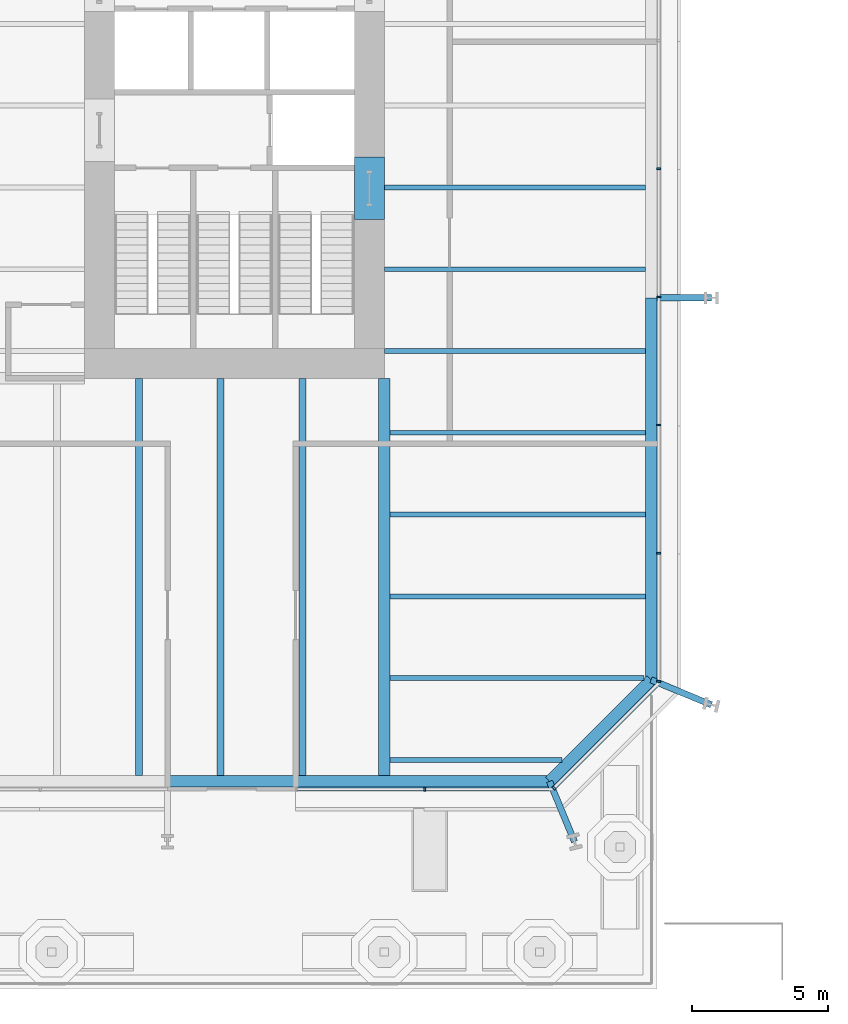
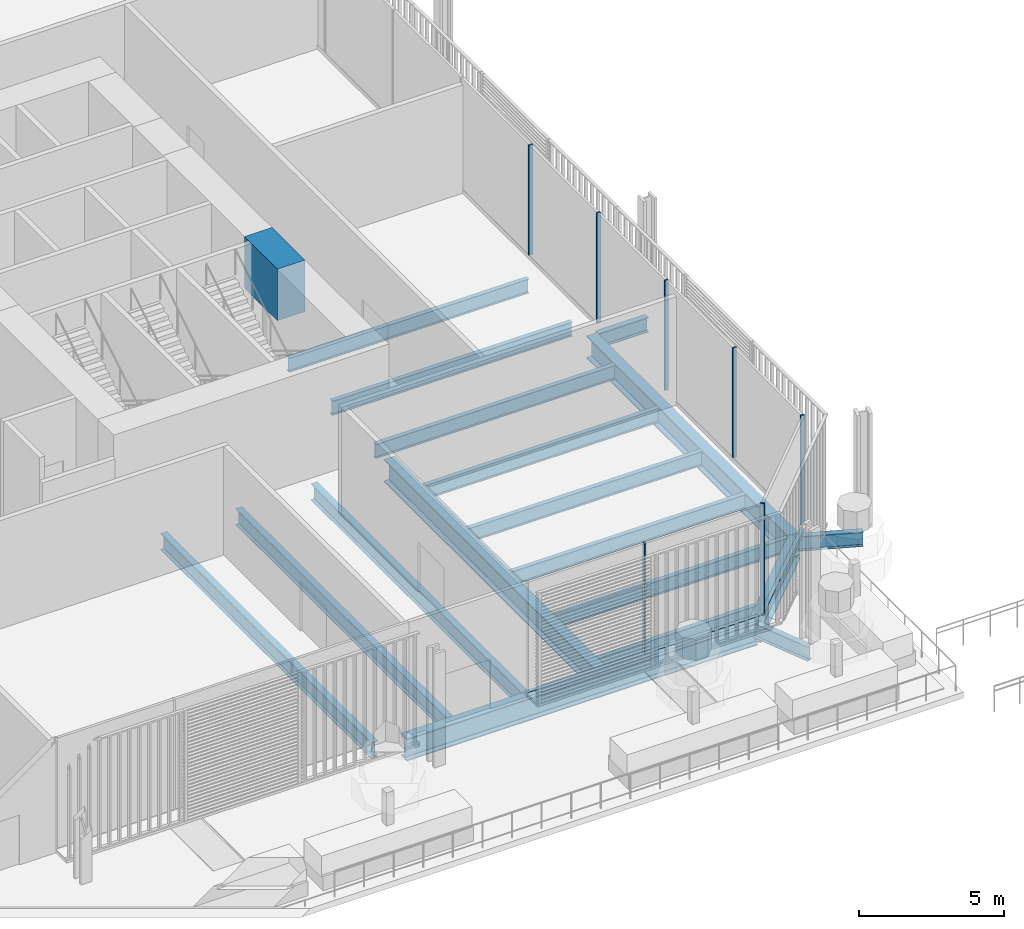
# One storey, part 5 of 21: 19 beams, 9 members, 3 elements without a shape of their own.
"""IFC4 building model written with IfcOpenShell, lengths in metres."""

from ifc_helpers import new_model, si_unit, direction, frame, origin, origin_2d, place, context, subcontext, project, spatial, rectangle, i_section, extrude, material, layer, layer_set, material_profile, profile_set, type_object, element, aggregate, save


model = new_model("IFC4")

# Units and contexts
model_context = context("Model", 3, precision=1e-05, world=origin(), true_north=direction((0.0, 1.0)))
body_context = subcontext(model_context, "Body", "Model", "MODEL_VIEW")
ifc_project = project(units=[si_unit("LENGTHUNIT", "METRE"), si_unit("AREAUNIT", "SQUARE_METRE"), si_unit("VOLUMEUNIT", "CUBIC_METRE"), si_unit("PLANEANGLEUNIT", "RADIAN"), si_unit("MASSUNIT", "GRAM", prefix="KILO")], contexts=[model_context])

# Site, building, storey
site_placement = place(None, origin())
site = spatial("IfcSite", under=ifc_project, at=site_placement, CompositionType="ELEMENT")
building_placement = place(site_placement, origin())
building = spatial("IfcBuilding", under=site, at=building_placement, Name="Millrace Tower", CompositionType="ELEMENT")
storey_placement = place(building_placement, frame((0.0, 0.0, 16.10009765625)))
storey = spatial("IfcBuildingStorey", under=building, at=storey_placement, Name="L04", CompositionType="ELEMENT", Elevation=16.10009765625)

# Curtain wall, member
ifc_material_1 = material(Name="Aluminium and glass", Category="aluminium")
ifc_layer = layer(ifc_material_1, 0.14990234375)
ifc_layer_set = layer_set([ifc_layer], Name="Aluminium and glass")
curtain_wall_type = type_object("IfcCurtainWallType", Name="CW-2 data hall insulated curtain wall", PredefinedType="NOTDEFINED", material=ifc_layer_set)
placement = place(storey_placement, origin())
curtain_wall_1 = element("IfcCurtainWall", 1, at=placement, inside=storey, type_object=curtain_wall_type, Name="Curtain wall A-F02 L04", PredefinedType="NOTDEFINED")
ifc_material_2 = material(Name="Aluminium", Category="aluminium")
ifc_material_profile_1 = material_profile(ifc_material_2, rectangle(XDim=0.06494140625, YDim=0.14990234375, at=origin_2d()))
ifc_profile_set_1 = profile_set([ifc_material_profile_1], Name="Aluminium")
member_type_1 = type_object("IfcMemberType", Name="CW-2 data hall insulated curtain wall mullion", PredefinedType="MULLION", material=ifc_profile_set_1)
member_1_placement = place(storey_placement, frame((16.482421875, -25.074951171875, 0.159912109375), z_axis=(0.0, 0.0, 1.0), x_axis=(1.0, 0.0, 0.0)))
member_1 = element("IfcMember", 2, at=member_1_placement, type_object=member_type_1, Name="CW2 mullion A-F02.9", PredefinedType="MULLION", context=body_context, shape_type="SweptSolid", body=[
    extrude(rectangle(XDim=0.06494140625, YDim=0.14990234375, at=origin_2d()), origin(), (0.0, 0.0, 1.0), 4.639892578125),
])

curtain_wall_2 = element("IfcCurtainWall", 3, at=placement, inside=storey, type_object=curtain_wall_type, Name="Curtain wall A-F03 L04", PredefinedType="NOTDEFINED")
member_2_placement = place(storey_placement, frame((21.22607421875, -25.030029296875, 0.159912109375), z_axis=(0.0, 0.0, 1.0), x_axis=(0.707106781187, 0.707106781187, 0.0)))
member_2 = element("IfcMember", 4, at=member_2_placement, type_object=member_type_1, Name="CW2 mullion A-F03.1", PredefinedType="MULLION", context=body_context, shape_type="SweptSolid", body=[
    extrude(rectangle(XDim=0.06494140625, YDim=0.14990234375, at=origin_2d()), origin(), (0.0, 0.0, 1.0), 4.639892578125),
])

# Curtain wall, members
curtain_wall_3 = element("IfcCurtainWall", 5, at=placement, inside=storey, type_object=curtain_wall_type, Name="Curtain wall A-F04 L04", PredefinedType="NOTDEFINED")
member_3_placement = place(storey_placement, frame((25.074951171875, -21.117431640625, 0.159912109375), z_axis=(0.0, 0.0, 1.0), x_axis=(0.0, 1.0, 0.0)))
member_3 = element("IfcMember", 6, at=member_3_placement, type_object=member_type_1, Name="CW2 mullion A-F04.1", PredefinedType="MULLION", context=body_context, shape_type="SweptSolid", body=[
    extrude(rectangle(XDim=0.06494140625, YDim=0.14990234375, at=origin_2d()), origin(), (0.0, 0.0, 1.0), 4.639892578125),
])
member_4_placement = place(storey_placement, frame((25.074951171875, -16.41748046875, 0.159912109375), z_axis=(0.0, 0.0, 1.0), x_axis=(0.0, 1.0, 0.0)))
member_4 = element("IfcMember", 7, at=member_4_placement, type_object=member_type_1, Name="CW2 mullion A-F04.2", PredefinedType="MULLION", context=body_context, shape_type="SweptSolid", body=[
    extrude(rectangle(XDim=0.06494140625, YDim=0.14990234375, at=origin_2d()), origin(), (0.0, 0.0, 1.0), 4.639892578125),
])
member_5_placement = place(storey_placement, frame((25.074951171875, -11.717529296875, 0.159912109375), z_axis=(0.0, 0.0, 1.0), x_axis=(0.0, 1.0, 0.0)))
member_5 = element("IfcMember", 8, at=member_5_placement, type_object=member_type_1, Name="CW2 mullion A-F04.3", PredefinedType="MULLION", context=body_context, shape_type="SweptSolid", body=[
    extrude(rectangle(XDim=0.06494140625, YDim=0.14990234375, at=origin_2d()), origin(), (0.0, 0.0, 1.0), 4.639892578125),
])
member_6_placement = place(storey_placement, frame((25.074951171875, -7.017578125, 0.159912109375), z_axis=(0.0, 0.0, 1.0), x_axis=(0.0, 1.0, 0.0)))
member_6 = element("IfcMember", 9, at=member_6_placement, type_object=member_type_1, Name="CW2 mullion A-F04.4", PredefinedType="MULLION", context=body_context, shape_type="SweptSolid", body=[
    extrude(rectangle(XDim=0.06494140625, YDim=0.14990234375, at=origin_2d()), origin(), (0.0, 0.0, 1.0), 4.639892578125),
])
member_7_placement = place(storey_placement, frame((25.074951171875, -2.3173828125, 0.159912109375), z_axis=(0.0, 0.0, 1.0), x_axis=(0.0, 1.0, 0.0)))
member_7 = element("IfcMember", 10, at=member_7_placement, type_object=member_type_1, Name="CW2 mullion A-F04.5", PredefinedType="MULLION", context=body_context, shape_type="SweptSolid", body=[
    extrude(rectangle(XDim=0.06494140625, YDim=0.14990234375, at=origin_2d()), origin(), (0.0, 0.0, 1.0), 4.639892578125),
])
aggregate(curtain_wall_3, [member_3, member_4, member_5, member_6, member_7])

# Member
ifc_material_3 = material(Name="Aluminium", Category="aluminium")
ifc_material_profile_2 = material_profile(ifc_material_3, rectangle(XDim=0.14990234375, YDim=0.159912109375, at=origin_2d()))
ifc_profile_set_2 = profile_set([ifc_material_profile_2], Name="Aluminium")
member_type_2 = type_object("IfcMemberType", Name="CW-2 data hall insulated curtain wall transom", PredefinedType="USERDEFINED", material=ifc_profile_set_2)
member_8_placement = place(storey_placement, frame((11.75, -25.074951171875, 0.079833984375), z_axis=(1.0, 0.0, 0.0), x_axis=(0.0, 1.0, 0.0)))
member_8 = element("IfcMember", 11, at=member_8_placement, type_object=member_type_2, Name="CW2 transom A-F02.3", ObjectType="TRANSOM", PredefinedType="USERDEFINED", context=body_context, shape_type="SweptSolid", body=[
    extrude(rectangle(XDim=0.14990234375, YDim=0.159912109375, at=origin_2d()), origin(), (0.0, 0.0, 1.0), 9.300048828125),
])

aggregate(curtain_wall_1, [member_1, member_8])

member_9_placement = place(storey_placement, frame((21.273681640625, -24.982421875, 0.079833984375), z_axis=(0.707106781187, 0.707106781187, 0.0), x_axis=(-0.707106781187, 0.707106781187, 0.0)))
member_9 = element("IfcMember", 12, at=member_9_placement, type_object=member_type_2, Name="CW2 transom A-F03.1", ObjectType="TRANSOM", PredefinedType="USERDEFINED", context=body_context, shape_type="SweptSolid", body=[
    extrude(rectangle(XDim=0.14990234375, YDim=0.159912109375, at=origin_2d()), origin(), (0.0, 0.0, 1.0), 5.244873046875),
])

aggregate(curtain_wall_2, [member_2, member_9])

# Beams
ifc_material_4 = material(Name="Concrete C80", Category="concrete")
ifc_material_profile_3 = material_profile(ifc_material_4, rectangle(XDim=1.10009765625, YDim=2.175048828125, at=origin_2d()))
ifc_profile_set_3 = profile_set([ifc_material_profile_3], Name="Concrete C80")
beam_type_1 = type_object("IfcBeamType", Name="Coupling beam 1100 x 2175 Concrete C80, 1300 opening", PredefinedType="BEAM", material=ifc_profile_set_3)
beam_1_placement = place(storey_placement, frame((14.449951171875, -1.88818359375, 3.4873046875), z_axis=(0.0, -1.0, 0.0), x_axis=(1.0, 0.0, 0.0)))
element("IfcBeam", 13, at=beam_1_placement, inside=storey, type_object=beam_type_1, Name="Coupling beam E L04", PredefinedType="BEAM", context=body_context, shape_type="SweptSolid", body=[
    extrude(rectangle(XDim=1.10009765625, YDim=2.175048828125, at=origin_2d()), origin(), (0.0, 0.0, 1.0), 2.28369140625),
])
ifc_material_5 = material(Name="Steel ASTM A992 Grade 50", Category="steel")
ifc_material_profile_4 = material_profile(ifc_material_5, i_section(OverallWidth=0.177978515625, OverallDepth=0.599365234375, WebThickness=0.010009765625, FlangeThickness=0.012939453125, FilletRadius=0.012939453125, at=origin_2d()))
ifc_profile_set_4 = profile_set([ifc_material_profile_4], Name="Steel ASTM A992 Grade 50")
beam_type_2 = type_object("IfcBeamType", Name="Floor beam W24x55", PredefinedType="JOIST", material=ifc_profile_set_4)
beam_2_placement = place(storey_placement, frame((15.212158203125, -24.0, -0.52490234375), z_axis=(1.0, 0.0, 0.0), x_axis=(0.0, 1.0, 0.0)))
element("IfcBeam", 14, at=beam_2_placement, inside=storey, type_object=beam_type_2, Name="BM-A-L04-S1-S002", PredefinedType="JOIST", context=body_context, shape_type="SweptSolid", body=[
    extrude(i_section(OverallWidth=0.177978515625, OverallDepth=0.599365234375, WebThickness=0.010009765625, FlangeThickness=0.012939453125, FilletRadius=0.012939453125, at=origin_2d()), origin(), (0.0, 0.0, 1.0), 6.317626953125),
])
ifc_material_6 = material(Name="Steel ASTM A992 Grade 50", Category="steel")
ifc_material_profile_5 = material_profile(ifc_material_6, i_section(OverallWidth=0.1787109375, OverallDepth=0.60205078125, WebThickness=0.010986328125, FlangeThickness=0.014892578125, FilletRadius=0.0126953125, at=origin_2d()))
ifc_profile_set_5 = profile_set([ifc_material_profile_5], Name="Steel ASTM A992 Grade 50")
beam_type_3 = type_object("IfcBeamType", Name="Floor beam W24x62", PredefinedType="JOIST", material=ifc_profile_set_5)
for number, where, z_axis, x_axis, name in (
    (15, (15.212158203125, -18.0, -0.526123046875), (1.0, 0.0, 0.0), (0.0, 1.0, 0.0), "BM-A-L04-S1-S006"),
    (16, (15.212158203125, -15.0, -0.526123046875), (1.0, 0.0, 0.0), (0.0, 1.0, 0.0), "BM-A-L04-S1-S008"),
    (17, (15.212158203125, -12.0, -0.526123046875), (1.0, 0.0, 0.0), (0.0, 1.0, 0.0), "BM-A-L04-S1-S010"),
):
    element("IfcBeam", number, at=place(storey_placement, frame(where, z_axis=z_axis, x_axis=x_axis)), inside=storey, type_object=beam_type_3, Name=name, PredefinedType="JOIST", context=body_context, shape_type="SweptSolid", body=[
        extrude(i_section(OverallWidth=0.1787109375, OverallDepth=0.60205078125, WebThickness=0.010986328125, FlangeThickness=0.014892578125, FilletRadius=0.0126953125, at=origin_2d()), origin(), (0.0, 0.0, 1.0), 9.3662109375),
    ])
for number, where, z_axis, x_axis, name in (
    (18, (15.0, -9.0, -0.526123046875), (1.0, 0.0, 0.0), (0.0, 1.0, 0.0), "BM-A-L04-S1-S013"),
    (19, (15.0, -6.0, -0.526123046875), (1.0, 0.0, 0.0), (0.0, 1.0, 0.0), "BM-A-L04-S1-S016"),
    (20, (15.0, -3.0, -0.526123046875), (1.0, 0.0, 0.0), (0.0, 1.0, 0.0), "BM-A-L04-S1-S019"),
):
    element("IfcBeam", number, at=place(storey_placement, frame(where, z_axis=z_axis, x_axis=x_axis)), inside=storey, type_object=beam_type_3, Name=name, PredefinedType="JOIST", context=body_context, shape_type="SweptSolid", body=[
        extrude(i_section(OverallWidth=0.1787109375, OverallDepth=0.60205078125, WebThickness=0.010986328125, FlangeThickness=0.014892578125, FilletRadius=0.0126953125, at=origin_2d()), origin(), (0.0, 0.0, 1.0), 9.578369140625),
    ])
beam_3_placement = place(storey_placement, frame((15.212158203125, -21.0, -0.526123046875), z_axis=(1.0, 0.0, 0.0), x_axis=(0.0, 1.0, 0.0)))
element("IfcBeam", 21, at=beam_3_placement, inside=storey, type_object=beam_type_3, Name="BM-A-L04-S1-S004", PredefinedType="JOIST", context=body_context, shape_type="SweptSolid", body=[
    extrude(i_section(OverallWidth=0.1787109375, OverallDepth=0.60205078125, WebThickness=0.010986328125, FlangeThickness=0.014892578125, FilletRadius=0.0126953125, at=origin_2d()), origin(), (0.0, 0.0, 1.0), 9.317626953125),
])
ifc_material_7 = material(Name="Steel ASTM A992 Grade 50", Category="steel")
ifc_material_profile_6 = material_profile(ifc_material_7, i_section(OverallWidth=0.256591796875, OverallDepth=0.693359375, WebThickness=0.014404296875, FlangeThickness=0.023681640625, FilletRadius=0.01513671875, at=origin_2d()))
ifc_profile_set_6 = profile_set([ifc_material_profile_6], Name="Steel ASTM A992 Grade 50")
beam_type_4 = type_object("IfcBeamType", Name="Floor beam W27x114", PredefinedType="JOIST", material=ifc_profile_set_6)
for number, where, z_axis, x_axis, name in (
    (22, (6.0, -24.578369140625, -0.57177734375), (0.0, 1.0, 0.0), (-1.0, 0.0, 0.0), "BM-A-L04-S1-S055"),
    (23, (9.0, -24.578369140625, -0.57177734375), (0.0, 1.0, 0.0), (-1.0, 0.0, 0.0), "BM-A-L04-S1-S057"),
    (24, (12.0, -24.578369140625, -0.57177734375), (0.0, 1.0, 0.0), (-1.0, 0.0, 0.0), "BM-A-L04-S1-S059"),
):
    element("IfcBeam", number, at=place(storey_placement, frame(where, z_axis=z_axis, x_axis=x_axis)), inside=storey, type_object=beam_type_4, Name=name, PredefinedType="JOIST", context=body_context, shape_type="SweptSolid", body=[
        extrude(i_section(OverallWidth=0.256591796875, OverallDepth=0.693359375, WebThickness=0.014404296875, FlangeThickness=0.023681640625, FilletRadius=0.01513671875, at=origin_2d()), origin(), (0.0, 0.0, 1.0), 14.578369140625),
    ])
ifc_material_8 = material(Name="Steel ASTM A992 Grade 50", Category="steel")
ifc_material_profile_7 = material_profile(ifc_material_8, i_section(OverallWidth=0.424072265625, OverallDepth=0.947509765625, WebThickness=0.02392578125, FlangeThickness=0.042724609375, FilletRadius=0.024169921875, at=origin_2d()))
ifc_profile_set_7 = profile_set([ifc_material_profile_7], Name="Steel ASTM A992 Grade 50")
beam_type_5 = type_object("IfcBeamType", Name="Girder medium span W36x302", PredefinedType="BEAM", material=ifc_profile_set_7)
beam_4_placement = place(storey_placement, frame((15.0, -24.578369140625, -0.69873046875), z_axis=(0.0, 1.0, 0.0), x_axis=(-1.0, 0.0, 0.0)))
element("IfcBeam", 25, at=beam_4_placement, inside=storey, type_object=beam_type_5, Name="BM-A-L04-S1-G063", PredefinedType="BEAM", context=body_context, shape_type="SweptSolid", body=[
    extrude(i_section(OverallWidth=0.424072265625, OverallDepth=0.947509765625, WebThickness=0.02392578125, FlangeThickness=0.042724609375, FilletRadius=0.024169921875, at=origin_2d()), origin(), (0.0, 0.0, 1.0), 14.578369140625),
])
ifc_material_9 = material(Name="Steel ASTM A992 Grade 50", Category="steel")
ifc_material_profile_8 = material_profile(ifc_material_9, i_section(OverallWidth=0.23046875, OverallDepth=0.6171875, WebThickness=0.01318359375, FlangeThickness=0.022216796875, FilletRadius=0.012939453125, at=origin_2d()))
ifc_profile_set_8 = profile_set([ifc_material_profile_8], Name="Steel ASTM A992 Grade 50")
beam_type_6 = type_object("IfcBeamType", Name="Link beam W24x94", PredefinedType="BEAM", material=ifc_profile_set_8)
beam_5_placement = place(storey_placement, frame((25.0, -7.050048828125, -0.53369140625), z_axis=(1.0, 0.0, 0.0), x_axis=(0.0, 1.0, 0.0)))
element("IfcBeam", 26, at=beam_5_placement, inside=storey, type_object=beam_type_6, Name="LNK-A-L04-S1-11", PredefinedType="BEAM", context=body_context, shape_type="SweptSolid", body=[
    extrude(i_section(OverallWidth=0.23046875, OverallDepth=0.6171875, WebThickness=0.01318359375, FlangeThickness=0.022216796875, FilletRadius=0.012939453125, at=origin_2d()), origin(), (0.0, 0.0, 1.0), 2.0),
])
for number, where, z_axis, x_axis, name in (
    (27, (24.7890625, -21.062744140625, -0.53369140625), (0.923883789366, -0.382673155247, 0.0), (0.382673155247, 0.923883789366, 0.0), "LNK-A-L04-S1-12"),
    (28, (21.062744140625, -24.7890625, -0.5986328125), (0.382673155247, -0.923883789366, 0.0), (0.923883789366, 0.382673155247, 0.0), "LNK-A-L04-S1-13"),
):
    element("IfcBeam", number, at=place(storey_placement, frame(where, z_axis=z_axis, x_axis=x_axis)), inside=storey, type_object=beam_type_6, Name=name, PredefinedType="BEAM", context=body_context, shape_type="SweptSolid", body=[
        extrude(i_section(OverallWidth=0.23046875, OverallDepth=0.6171875, WebThickness=0.01318359375, FlangeThickness=0.022216796875, FilletRadius=0.012939453125, at=origin_2d()), origin(), (0.0, 0.0, 1.0), 2.39306640625),
    ])
ifc_material_10 = material(Name="Steel ASTM A992 Grade 50", Category="steel")
ifc_material_profile_9 = material_profile(ifc_material_10, i_section(OverallWidth=0.421630859375, OverallDepth=0.937255859375, WebThickness=0.021240234375, FlangeThickness=0.03662109375, FilletRadius=0.024169921875, at=origin_2d()))
ifc_profile_set_9 = profile_set([ifc_material_profile_9], Name="Steel ASTM A992 Grade 50")
beam_type_7 = type_object("IfcBeamType", Name="Ring beam medium span W36x262", PredefinedType="SPANDREL", material=ifc_profile_set_9)
for number, where, z_axis, x_axis, name in (
    (29, (24.7890625, -7.050048828125, -0.69384765625), (0.0, -1.0, 0.0), (1.0, 0.0, 0.0), "RNG-A-L04-S1-11"),
    (30, (21.062744140625, -24.7890625, -0.69384765625), (-1.0, 0.0, 0.0), (0.0, -1.0, 0.0), "RNG-A-L04-S1-13"),
):
    element("IfcBeam", number, at=place(storey_placement, frame(where, z_axis=z_axis, x_axis=x_axis)), inside=storey, type_object=beam_type_7, Name=name, PredefinedType="SPANDREL", context=body_context, shape_type="SweptSolid", body=[
        extrude(i_section(OverallWidth=0.421630859375, OverallDepth=0.937255859375, WebThickness=0.021240234375, FlangeThickness=0.03662109375, FilletRadius=0.024169921875, at=origin_2d()), origin(), (0.0, 0.0, 1.0), 14.0126953125),
    ])
ifc_material_11 = material(Name="Steel ASTM A992 Grade 50", Category="steel")
ifc_material_profile_10 = material_profile(ifc_material_11, i_section(OverallWidth=0.421630859375, OverallDepth=0.937255859375, WebThickness=0.021240234375, FlangeThickness=0.03662109375, FilletRadius=0.024169921875, at=origin_2d()))
ifc_profile_set_10 = profile_set([ifc_material_profile_10], Name="Steel ASTM A992 Grade 50")
beam_type_8 = type_object("IfcBeamType", Name="Ring beam short span W36x262", PredefinedType="SPANDREL", material=ifc_profile_set_10)
beam_6_placement = place(storey_placement, frame((24.7890625, -21.062744140625, -0.69384765625), z_axis=(-0.707106781187, -0.707106781187, 0.0), x_axis=(0.707106781187, -0.707106781187, 0.0)))
element("IfcBeam", 31, at=beam_6_placement, inside=storey, type_object=beam_type_8, Name="RNG-A-L04-S1-12", PredefinedType="SPANDREL", context=body_context, shape_type="SweptSolid", body=[
    extrude(i_section(OverallWidth=0.421630859375, OverallDepth=0.937255859375, WebThickness=0.021240234375, FlangeThickness=0.03662109375, FilletRadius=0.024169921875, at=origin_2d()), origin(), (0.0, 0.0, 1.0), 5.269775390625),
])

save(model, "model.ifc")
